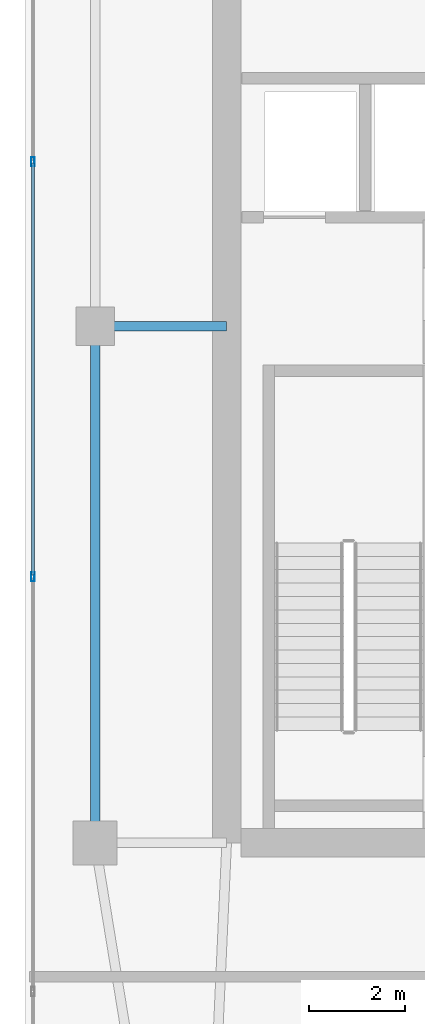
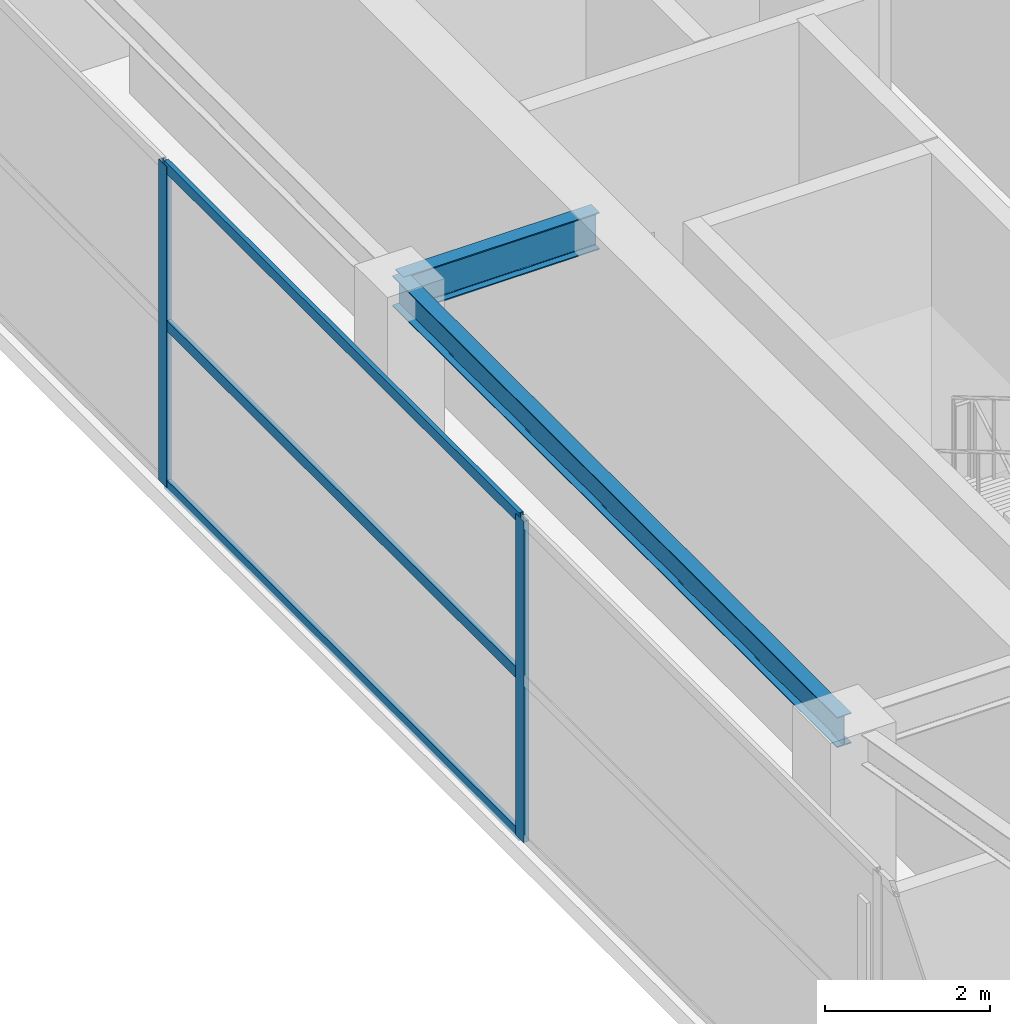
# One storey, part 9 of 21: 5 members, 2 beams, 1 element without a shape of its own.
"""IFC4 building model written with IfcOpenShell, lengths in metres."""

import ifcopenshell
import ifcopenshell.guid

model = None  # the IFC model being written
_history = None  # IfcOwnerHistory: only IFC2X3 demands one
_inside = {}  # id of a spatial element -> (the spatial element, [elements in it])
_under = {}  # id of a project, library or spatial element -> (it, [spatial elements below it])
_declared = {}  # id of a project -> (the project, [libraries it declares])
_typed = {}  # id of a type object -> (the type object, [elements of that type])
_made_of = {}  # id of a material, layer set ... -> (it, [elements and type objects made of it])


def new_model(schema):
    """Start an empty IFC model of exactly this schema.

    Asked for "IFC4X3", IfcOpenShell would pick the latest addendum, in which some entities
    have other attributes; the version numbers below select the first issue.
    IFC2X3 requires an IfcOwnerHistory on every rooted entity: one is made here for all.
    """
    global model, _history
    if schema == "IFC4X3":
        model = ifcopenshell.file(schema_version=(4, 3, 0, 0))
    else:
        model = ifcopenshell.file(schema=schema)
    _inside.clear()
    _under.clear()
    _declared.clear()
    _typed.clear()
    _made_of.clear()
    _history = None
    if model.schema == "IFC2X3":
        org = make("IfcOrganization", Name="unknown")
        user = make(
            "IfcPersonAndOrganization",
            ThePerson=make("IfcPerson", FamilyName="unknown"),
            TheOrganization=org,
        )
        app = make(
            "IfcApplication",
            ApplicationDeveloper=org,
            Version="unknown",
            ApplicationFullName="unknown",
            ApplicationIdentifier="unknown",
        )
        _history = make(
            "IfcOwnerHistory",
            OwningUser=user,
            OwningApplication=app,
            ChangeAction="ADDED",
            CreationDate=0,
        )
    return model


def make(cls, **values):
    """One entity of the class cls with the attributes given. An attribute that is None is left unset."""
    return model.create_entity(
        cls, **{name: value for name, value in values.items() if value is not None}
    )


def rooted(cls, **values):
    """An entity with a GlobalId (a new one), such as an element, a storey or a relation."""
    return make(cls, GlobalId=ifcopenshell.guid.new(), OwnerHistory=_history, **values)


def si_unit(unit_type, name, prefix=None):
    """IfcSIUnit, for example si_unit("LENGTHUNIT", "METRE", prefix="MILLI")."""
    return make("IfcSIUnit", UnitType=unit_type, Prefix=prefix, Name=name)


def assignment(units):
    """IfcUnitAssignment: the units of a project."""
    return None if units is None else make("IfcUnitAssignment", Units=units)


def point(xyz):
    """IfcCartesianPoint."""
    return None if xyz is None else make("IfcCartesianPoint", Coordinates=xyz)


def direction(xyz):
    """IfcDirection."""
    return None if xyz is None else make("IfcDirection", DirectionRatios=xyz)


def frame(location, z_axis=None, x_axis=None):
    """IfcAxis2Placement3D, a coordinate frame: its origin and axes. An axis left out is left unset."""
    return make(
        "IfcAxis2Placement3D",
        Location=point(location),
        Axis=direction(z_axis),
        RefDirection=direction(x_axis),
    )


def frame_2d(location, x_axis=None):
    """IfcAxis2Placement2D, a coordinate frame in the plane: its origin and x axis."""
    return make(
        "IfcAxis2Placement2D", Location=point(location), RefDirection=direction(x_axis)
    )


def origin():
    """The frame at (0, 0, 0) with its axes left unset."""
    return frame((0.0, 0.0, 0.0))


def origin_2d():
    """The frame at (0, 0) in the plane with its x axis left unset."""
    return frame_2d((0.0, 0.0))


def place(relative_to, where):
    """IfcLocalPlacement: puts the frame where relative to a parent placement (None: the world)."""
    return make(
        "IfcLocalPlacement", PlacementRelTo=relative_to, RelativePlacement=where
    )


def context(
    kind, dimensions, precision=None, world=None, true_north=None, identifier=None
):
    """IfcGeometricRepresentationContext, for example the 3D "Model" context."""
    return make(
        "IfcGeometricRepresentationContext",
        ContextIdentifier=identifier,
        ContextType=kind,
        CoordinateSpaceDimension=dimensions,
        Precision=precision,
        WorldCoordinateSystem=world,
        TrueNorth=true_north,
    )


def subcontext(parent, identifier, kind, view, scale=None):
    """IfcGeometricRepresentationSubContext, for example "Body" below "Model"."""
    return make(
        "IfcGeometricRepresentationSubContext",
        ContextIdentifier=identifier,
        ContextType=kind,
        ParentContext=parent,
        TargetScale=scale,
        TargetView=view,
    )


def project(units=None, contexts=None):
    """IfcProject with its units and contexts."""
    return rooted(
        "IfcProject",
        Name="project",
        RepresentationContexts=contexts,
        UnitsInContext=assignment(units),
    )


def spatial(cls, under=None, at=None, **own):
    """A site, building, storey or space (cls), placed at a placement, below another one or the project."""
    s = rooted(cls, ObjectPlacement=at, **own)
    if under is not None:
        _under.setdefault(under.id(), (under, []))[1].append(s)
    return s


def profile(cls, at=None, kind="AREA", **sizes):
    """A parametric profile (cls). Its sizes go by their IFC names, for example OverallWidth=200.0."""
    return make(cls, ProfileType=kind, Position=at, **sizes)


def hollow_rectangle(**sizes):
    """IfcRectangleHollowProfileDef."""
    return profile("IfcRectangleHollowProfileDef", **sizes)


def i_section(**sizes):
    """IfcIShapeProfileDef."""
    return profile("IfcIShapeProfileDef", **sizes)


def extrude(swept, where, along, depth):
    """IfcExtrudedAreaSolid: the profile swept, set in the frame where, extruded along a direction by depth."""
    return make(
        "IfcExtrudedAreaSolid",
        SweptArea=swept,
        Position=where,
        ExtrudedDirection=direction(along),
        Depth=depth,
    )


def shape(context_of_items, identifier, shape_type, items):
    """IfcShapeRepresentation: the items that make up one representation, for example the "Body"."""
    return make(
        "IfcShapeRepresentation",
        ContextOfItems=context_of_items,
        RepresentationIdentifier=identifier,
        RepresentationType=shape_type,
        Items=items,
    )


def material(Name=None, Category=None):
    """IfcMaterial."""
    return make("IfcMaterial", Name=Name, Category=Category)


def layer(
    of_material, thickness, ventilated=None, Name=None, Category=None, Priority=None
):
    """IfcMaterialLayer: one layer of a wall or slab, of a material (None: an air gap)."""
    return make(
        "IfcMaterialLayer",
        Material=of_material,
        LayerThickness=thickness,
        IsVentilated=ventilated,
        Name=Name,
        Category=Category,
        Priority=Priority,
    )


def layer_set(layers, Name=None):
    """IfcMaterialLayerSet."""
    return make("IfcMaterialLayerSet", MaterialLayers=layers, LayerSetName=Name)


def material_profile(
    of_material, cross_section, Name=None, Category=None, Priority=None
):
    """IfcMaterialProfile: a cross section and its material."""
    return make(
        "IfcMaterialProfile",
        Name=Name,
        Material=of_material,
        Profile=cross_section,
        Priority=Priority,
        Category=Category,
    )


def profile_set(profiles, Name=None, composite=None):
    """IfcMaterialProfileSet."""
    return make(
        "IfcMaterialProfileSet",
        Name=Name,
        MaterialProfiles=profiles,
        CompositeProfile=composite,
    )


def made_of(thing, what):
    """Note that an element or type object is made of a material, layer set ...; save() writes the relation."""
    if what is not None:
        _made_of.setdefault(what.id(), (what, []))[1].append(thing)
    return thing


def type_object(cls, material=None, **own):
    """A type object (cls), such as IfcWallType, which elements share."""
    return made_of(rooted(cls, **own), material)


def element(
    cls,
    number,
    at=None,
    inside=None,
    cuts=None,
    type_object=None,
    material=None,
    context=None,
    identifier="Body",
    shape_type=None,
    held_by="IfcProductDefinitionShape",
    body=None,
    shapes=None,
    **own,
):
    """One element of the class cls, such as IfcWall. Its Tag is "e" and its number.

    at: its placement. inside: the storey or other place that contains it. cuts: it is an
    opening in that element (IfcRelVoidsElement). A single representation is given by context,
    identifier, shape_type and body (its items); several are given by shapes. held_by: the class
    of the entity that holds the representations. save() writes the other relations.
    """
    e = rooted(cls, Tag="e%d" % number, ObjectPlacement=at, **own)
    if body is not None:
        shapes = [shape(context, identifier, shape_type, body)]
    if shapes is not None:
        e.Representation = make(held_by, Representations=shapes)
    if inside is not None:
        _inside.setdefault(inside.id(), (inside, []))[1].append(e)
    if cuts is not None:
        rooted(
            "IfcRelVoidsElement", RelatingBuildingElement=cuts, RelatedOpeningElement=e
        )
    if type_object is not None:
        _typed.setdefault(type_object.id(), (type_object, []))[1].append(e)
    return made_of(e, material)


def aggregate(whole, parts):
    """IfcRelAggregates: a whole, such as a stair, and the parts it consists of."""
    return rooted("IfcRelAggregates", RelatingObject=whole, RelatedObjects=parts)


def save(model, path):
    """Write the relations noted so far, then the file.

    IfcRelAggregates (storeys below a building ...), IfcRelContainedInSpatialStructure (elements
    in a storey), IfcRelDefinesByType, IfcRelAssociatesMaterial and IfcRelDeclares: one each for
    every whole, place, type object, material and project.
    """
    for whole, parts in _under.values():
        aggregate(whole, parts)
    for where, things in _inside.values():
        rooted(
            "IfcRelContainedInSpatialStructure",
            RelatedElements=things,
            RelatingStructure=where,
        )
    for kind, things in _typed.values():
        rooted("IfcRelDefinesByType", RelatedObjects=things, RelatingType=kind)
    for what, things in _made_of.values():
        rooted("IfcRelAssociatesMaterial", RelatedObjects=things, RelatingMaterial=what)
    for by, libraries in _declared.values():
        rooted("IfcRelDeclares", RelatingContext=by, RelatedDefinitions=libraries)
    model.write(path)


model = new_model("IFC4")

# Units and contexts
model_context = context("Model", 3, precision=1e-05, world=origin(), true_north=direction((0.0, 1.0)))
body_context = subcontext(model_context, "Body", "Model", "MODEL_VIEW")
ifc_project = project(units=[si_unit("LENGTHUNIT", "METRE"), si_unit("AREAUNIT", "SQUARE_METRE"), si_unit("VOLUMEUNIT", "CUBIC_METRE"), si_unit("PLANEANGLEUNIT", "RADIAN"), si_unit("MASSUNIT", "GRAM", prefix="KILO")], contexts=[model_context])

# Site, building, storey
site_placement = place(None, origin())
site = spatial("IfcSite", under=ifc_project, at=site_placement, CompositionType="ELEMENT")
building_placement = place(site_placement, origin())
building = spatial("IfcBuilding", under=site, at=building_placement, Name="Calvorn Quay Hotel", CompositionType="ELEMENT")
storey_placement = place(building_placement, frame((0.0, 0.0, 320.5)))
storey = spatial("IfcBuildingStorey", under=building, at=storey_placement, Name="L79", CompositionType="ELEMENT", Elevation=320.5)

# Beams
ifc_material_1 = material(Name="Steel Q355B", Category="steel")
ifc_material_profile_1 = material_profile(ifc_material_1, i_section(OverallWidth=0.199951171875, OverallDepth=0.550048828125, WebThickness=0.010009765625, FlangeThickness=0.01611328125, FilletRadius=0.01806640625, at=origin_2d()), Name="HN550x200x10x16")
ifc_profile_set_1 = profile_set([ifc_material_profile_1], Name="Steel Q355B")
beam_type_1 = type_object("IfcBeamType", Name="BM-GIRD-UPP", PredefinedType="BEAM", material=ifc_profile_set_1)
beam_1_placement = place(storey_placement, frame((1.449951171875, 27.60009765625, 4.465087890625), z_axis=(1.0, 0.0, 0.0), x_axis=(0.0, 1.0, 0.0)))
element("IfcBeam", 1, at=beam_1_placement, inside=storey, type_object=beam_type_1, Name="Beam BG-L79-W2", PredefinedType="BEAM", context=body_context, shape_type="SweptSolid", body=[
    extrude(i_section(OverallWidth=0.199951171875, OverallDepth=0.550048828125, WebThickness=0.010009765625, FlangeThickness=0.01611328125, FilletRadius=0.01806640625, at=origin_2d()), origin(), (0.0, 0.0, 1.0), 2.75),
])
ifc_material_2 = material(Name="Steel Q355B", Category="steel")
ifc_material_profile_2 = material_profile(ifc_material_2, i_section(OverallWidth=0.199951171875, OverallDepth=0.449951171875, WebThickness=0.009033203125, FlangeThickness=0.013916015625, FilletRadius=0.01611328125, at=origin_2d()), Name="HN450x200x9x14")
ifc_profile_set_2 = profile_set([ifc_material_profile_2], Name="Steel Q355B")
beam_type_2 = type_object("IfcBeamType", Name="BM-SPANDREL-Z3", PredefinedType="SPANDREL", material=ifc_profile_set_2)
beam_2_placement = place(storey_placement, frame((1.449951171875, 16.800048828125, 4.514892578125), z_axis=(0.0, 1.0, 0.0), x_axis=(-1.0, 0.0, 0.0)))
element("IfcBeam", 2, at=beam_2_placement, inside=storey, type_object=beam_type_2, Name="Beam BSP-L79-W2", PredefinedType="SPANDREL", context=body_context, shape_type="SweptSolid", body=[
    extrude(i_section(OverallWidth=0.199951171875, OverallDepth=0.449951171875, WebThickness=0.009033203125, FlangeThickness=0.013916015625, FilletRadius=0.01611328125, at=origin_2d()), origin(), (0.0, 0.0, 1.0), 10.800048828125),
])

# Curtain wall, members
ifc_material_3 = material(Name="Pale Anodised Aluminium and Laminated Glass", Category="aluminium")
ifc_layer = layer(ifc_material_3, 0.219970703125)
ifc_layer_set = layer_set([ifc_layer], Name="CW-SYS-CRN")
curtain_wall_type = type_object("IfcCurtainWallType", Name="CW-SYS-CRN", PredefinedType="NOTDEFINED", material=ifc_layer_set)
curtain_wall_placement = place(storey_placement, origin())
curtain_wall = element("IfcCurtainWall", 3, at=curtain_wall_placement, inside=storey, type_object=curtain_wall_type, Name="Crown Curtain Wall L79-C5", PredefinedType="NOTDEFINED")
ifc_material_4 = material(Name="Pale Anodised Aluminium 6063-T6", Category="aluminium")
ifc_material_profile_3 = material_profile(ifc_material_4, hollow_rectangle(XDim=0.072021484375, YDim=0.195068359375, WallThickness=0.00390625, at=origin_2d()), Name="ALU-M195x72x4")
ifc_profile_set_3 = profile_set([ifc_material_profile_3], Name="Pale Anodised Aluminium 6063-T6")
member_type_1 = type_object("IfcMemberType", Name="CW-SYS-CRN-MUL", PredefinedType="MULLION", material=ifc_profile_set_3)
member_1_placement = place(storey_placement, frame((0.14990234375, 31.035888671875, 0.0), z_axis=(0.0, 0.0, 1.0), x_axis=(1.0, 0.0, 0.0)))
member_1 = element("IfcMember", 4, at=member_1_placement, type_object=member_type_1, Name="CW-L79-C5 mullion 3", PredefinedType="MULLION", context=body_context, shape_type="SweptSolid", body=[
    extrude(hollow_rectangle(XDim=0.072021484375, YDim=0.195068359375, WallThickness=0.00390625, at=origin_2d()), origin(), (0.0, 0.0, 1.0), 4.760009765625),
])
member_2_placement = place(storey_placement, frame((0.14990234375, 22.364013671875, 0.0), z_axis=(0.0, 0.0, 1.0), x_axis=(1.0, 0.0, 0.0)))
member_2 = element("IfcMember", 5, at=member_2_placement, type_object=member_type_1, Name="CW-L79-C5 mullion 4", PredefinedType="MULLION", context=body_context, shape_type="SweptSolid", body=[
    extrude(hollow_rectangle(XDim=0.072021484375, YDim=0.195068359375, WallThickness=0.00390625, at=origin_2d()), origin(), (0.0, 0.0, 1.0), 4.760009765625),
])
ifc_material_5 = material(Name="Pale Anodised Aluminium 6063-T6", Category="aluminium")
ifc_material_profile_4 = material_profile(ifc_material_5, hollow_rectangle(XDim=0.06201171875, YDim=0.159912109375, WallThickness=0.00341796875, at=origin_2d()), Name="ALU-T160x62x3.5")
ifc_profile_set_4 = profile_set([ifc_material_profile_4], Name="Pale Anodised Aluminium 6063-T6")
member_type_2 = type_object("IfcMemberType", Name="CW-SYS-CRN-TRN", PredefinedType="USERDEFINED", material=ifc_profile_set_4)
member_3_placement = place(storey_placement, frame((0.14990234375, 31.006103515625, 0.030029296875), z_axis=(0.0, -1.0, 0.0), x_axis=(1.0, 0.0, 0.0)))
member_3 = element("IfcMember", 6, at=member_3_placement, type_object=member_type_2, Name="CW-L79-C5 transom 3.1", ObjectType="TRANSOM", PredefinedType="USERDEFINED", context=body_context, shape_type="SweptSolid", body=[
    extrude(hollow_rectangle(XDim=0.06201171875, YDim=0.159912109375, WallThickness=0.00341796875, at=origin_2d()), origin(), (0.0, 0.0, 1.0), 8.612060546875),
])
member_4_placement = place(storey_placement, frame((0.14990234375, 31.006103515625, 2.39990234375), z_axis=(0.0, -1.0, 0.0), x_axis=(1.0, 0.0, 0.0)))
member_4 = element("IfcMember", 7, at=member_4_placement, type_object=member_type_2, Name="CW-L79-C5 transom 3.2", ObjectType="TRANSOM", PredefinedType="USERDEFINED", context=body_context, shape_type="SweptSolid", body=[
    extrude(hollow_rectangle(XDim=0.06201171875, YDim=0.159912109375, WallThickness=0.00341796875, at=origin_2d()), origin(), (0.0, 0.0, 1.0), 8.612060546875),
])
member_5_placement = place(storey_placement, frame((0.14990234375, 31.006103515625, 4.72998046875), z_axis=(0.0, -1.0, 0.0), x_axis=(1.0, 0.0, 0.0)))
member_5 = element("IfcMember", 8, at=member_5_placement, type_object=member_type_2, Name="CW-L79-C5 transom 3.3", ObjectType="TRANSOM", PredefinedType="USERDEFINED", context=body_context, shape_type="SweptSolid", body=[
    extrude(hollow_rectangle(XDim=0.06201171875, YDim=0.159912109375, WallThickness=0.00341796875, at=origin_2d()), origin(), (0.0, 0.0, 1.0), 8.612060546875),
])
aggregate(curtain_wall, [member_1, member_2, member_3, member_4, member_5])

save(model, "model.ifc")
